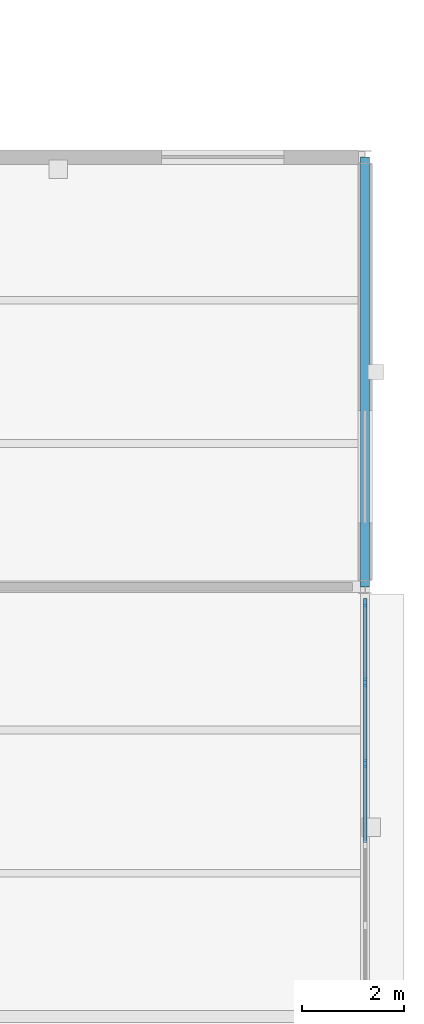
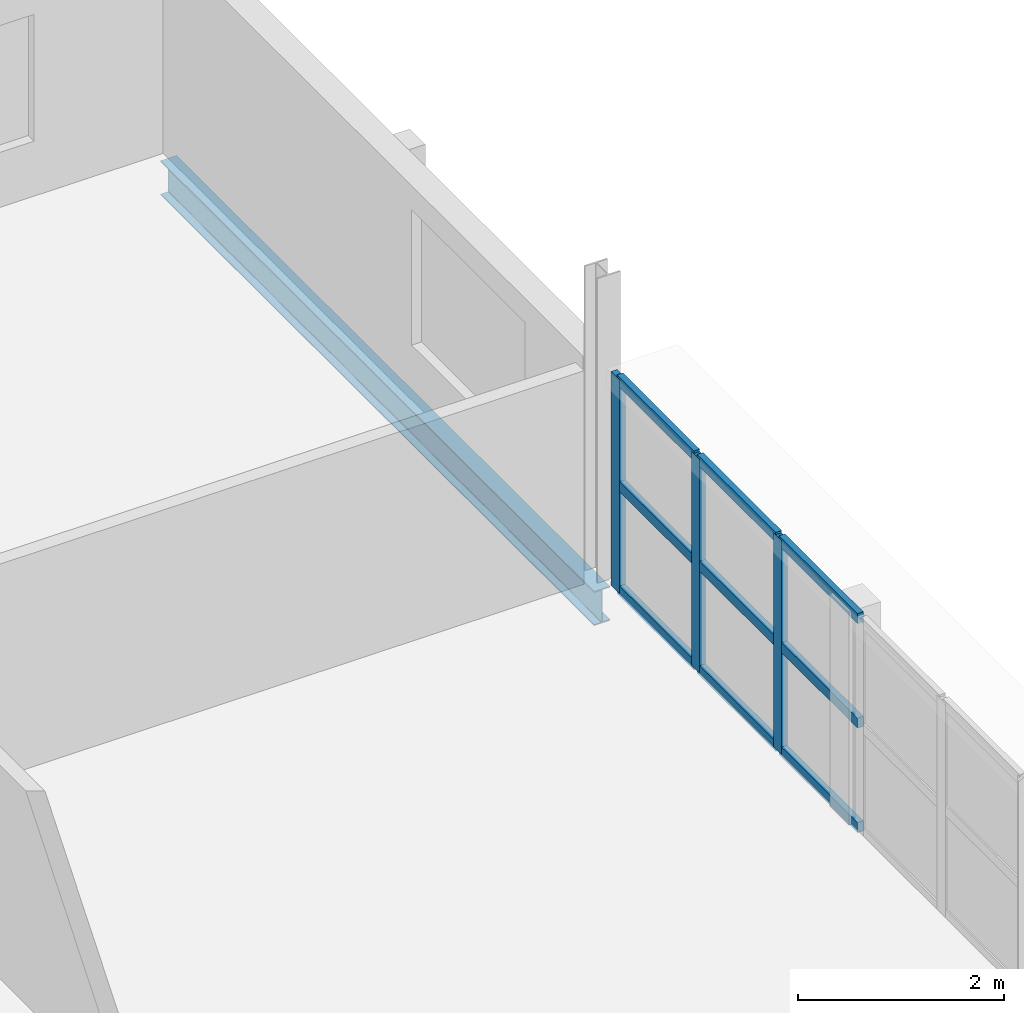
# One storey, part 43 of 74: 12 members, 1 beam, 1 element without a shape of its own.
"""IFC4 building model written with IfcOpenShell, lengths in metres."""

import ifcopenshell
import ifcopenshell.guid

model = None  # the IFC model being written
_history = None  # IfcOwnerHistory: only IFC2X3 demands one
_inside = {}  # id of a spatial element -> (the spatial element, [elements in it])
_under = {}  # id of a project, library or spatial element -> (it, [spatial elements below it])
_declared = {}  # id of a project -> (the project, [libraries it declares])
_typed = {}  # id of a type object -> (the type object, [elements of that type])
_made_of = {}  # id of a material, layer set ... -> (it, [elements and type objects made of it])


def new_model(schema):
    """Start an empty IFC model of exactly this schema.

    Asked for "IFC4X3", IfcOpenShell would pick the latest addendum, in which some entities
    have other attributes; the version numbers below select the first issue.
    IFC2X3 requires an IfcOwnerHistory on every rooted entity: one is made here for all.
    """
    global model, _history
    if schema == "IFC4X3":
        model = ifcopenshell.file(schema_version=(4, 3, 0, 0))
    else:
        model = ifcopenshell.file(schema=schema)
    _inside.clear()
    _under.clear()
    _declared.clear()
    _typed.clear()
    _made_of.clear()
    _history = None
    if model.schema == "IFC2X3":
        org = make("IfcOrganization", Name="unknown")
        user = make(
            "IfcPersonAndOrganization",
            ThePerson=make("IfcPerson", FamilyName="unknown"),
            TheOrganization=org,
        )
        app = make(
            "IfcApplication",
            ApplicationDeveloper=org,
            Version="unknown",
            ApplicationFullName="unknown",
            ApplicationIdentifier="unknown",
        )
        _history = make(
            "IfcOwnerHistory",
            OwningUser=user,
            OwningApplication=app,
            ChangeAction="ADDED",
            CreationDate=0,
        )
    return model


def make(cls, **values):
    """One entity of the class cls with the attributes given. An attribute that is None is left unset."""
    return model.create_entity(
        cls, **{name: value for name, value in values.items() if value is not None}
    )


def rooted(cls, **values):
    """An entity with a GlobalId (a new one), such as an element, a storey or a relation."""
    return make(cls, GlobalId=ifcopenshell.guid.new(), OwnerHistory=_history, **values)


def si_unit(unit_type, name, prefix=None):
    """IfcSIUnit, for example si_unit("LENGTHUNIT", "METRE", prefix="MILLI")."""
    return make("IfcSIUnit", UnitType=unit_type, Prefix=prefix, Name=name)


def assignment(units):
    """IfcUnitAssignment: the units of a project."""
    return None if units is None else make("IfcUnitAssignment", Units=units)


def point(xyz):
    """IfcCartesianPoint."""
    return None if xyz is None else make("IfcCartesianPoint", Coordinates=xyz)


def direction(xyz):
    """IfcDirection."""
    return None if xyz is None else make("IfcDirection", DirectionRatios=xyz)


def frame(location, z_axis=None, x_axis=None):
    """IfcAxis2Placement3D, a coordinate frame: its origin and axes. An axis left out is left unset."""
    return make(
        "IfcAxis2Placement3D",
        Location=point(location),
        Axis=direction(z_axis),
        RefDirection=direction(x_axis),
    )


def frame_2d(location, x_axis=None):
    """IfcAxis2Placement2D, a coordinate frame in the plane: its origin and x axis."""
    return make(
        "IfcAxis2Placement2D", Location=point(location), RefDirection=direction(x_axis)
    )


def origin():
    """The frame at (0, 0, 0) with its axes left unset."""
    return frame((0.0, 0.0, 0.0))


def origin_2d():
    """The frame at (0, 0) in the plane with its x axis left unset."""
    return frame_2d((0.0, 0.0))


def place(relative_to, where):
    """IfcLocalPlacement: puts the frame where relative to a parent placement (None: the world)."""
    return make(
        "IfcLocalPlacement", PlacementRelTo=relative_to, RelativePlacement=where
    )


def context(
    kind, dimensions, precision=None, world=None, true_north=None, identifier=None
):
    """IfcGeometricRepresentationContext, for example the 3D "Model" context."""
    return make(
        "IfcGeometricRepresentationContext",
        ContextIdentifier=identifier,
        ContextType=kind,
        CoordinateSpaceDimension=dimensions,
        Precision=precision,
        WorldCoordinateSystem=world,
        TrueNorth=true_north,
    )


def subcontext(parent, identifier, kind, view, scale=None):
    """IfcGeometricRepresentationSubContext, for example "Body" below "Model"."""
    return make(
        "IfcGeometricRepresentationSubContext",
        ContextIdentifier=identifier,
        ContextType=kind,
        ParentContext=parent,
        TargetScale=scale,
        TargetView=view,
    )


def project(units=None, contexts=None):
    """IfcProject with its units and contexts."""
    return rooted(
        "IfcProject",
        Name="project",
        RepresentationContexts=contexts,
        UnitsInContext=assignment(units),
    )


def spatial(cls, under=None, at=None, **own):
    """A site, building, storey or space (cls), placed at a placement, below another one or the project."""
    s = rooted(cls, ObjectPlacement=at, **own)
    if under is not None:
        _under.setdefault(under.id(), (under, []))[1].append(s)
    return s


def profile(cls, at=None, kind="AREA", **sizes):
    """A parametric profile (cls). Its sizes go by their IFC names, for example OverallWidth=200.0."""
    return make(cls, ProfileType=kind, Position=at, **sizes)


def rectangle(**sizes):
    """IfcRectangleProfileDef."""
    return profile("IfcRectangleProfileDef", **sizes)


def i_section(**sizes):
    """IfcIShapeProfileDef."""
    return profile("IfcIShapeProfileDef", **sizes)


def extrude(swept, where, along, depth):
    """IfcExtrudedAreaSolid: the profile swept, set in the frame where, extruded along a direction by depth."""
    return make(
        "IfcExtrudedAreaSolid",
        SweptArea=swept,
        Position=where,
        ExtrudedDirection=direction(along),
        Depth=depth,
    )


def shape(context_of_items, identifier, shape_type, items):
    """IfcShapeRepresentation: the items that make up one representation, for example the "Body"."""
    return make(
        "IfcShapeRepresentation",
        ContextOfItems=context_of_items,
        RepresentationIdentifier=identifier,
        RepresentationType=shape_type,
        Items=items,
    )


def material(Name=None, Category=None):
    """IfcMaterial."""
    return make("IfcMaterial", Name=Name, Category=Category)


def layer(
    of_material, thickness, ventilated=None, Name=None, Category=None, Priority=None
):
    """IfcMaterialLayer: one layer of a wall or slab, of a material (None: an air gap)."""
    return make(
        "IfcMaterialLayer",
        Material=of_material,
        LayerThickness=thickness,
        IsVentilated=ventilated,
        Name=Name,
        Category=Category,
        Priority=Priority,
    )


def layer_set(layers, Name=None):
    """IfcMaterialLayerSet."""
    return make("IfcMaterialLayerSet", MaterialLayers=layers, LayerSetName=Name)


def material_profile(
    of_material, cross_section, Name=None, Category=None, Priority=None
):
    """IfcMaterialProfile: a cross section and its material."""
    return make(
        "IfcMaterialProfile",
        Name=Name,
        Material=of_material,
        Profile=cross_section,
        Priority=Priority,
        Category=Category,
    )


def profile_set(profiles, Name=None, composite=None):
    """IfcMaterialProfileSet."""
    return make(
        "IfcMaterialProfileSet",
        Name=Name,
        MaterialProfiles=profiles,
        CompositeProfile=composite,
    )


def made_of(thing, what):
    """Note that an element or type object is made of a material, layer set ...; save() writes the relation."""
    if what is not None:
        _made_of.setdefault(what.id(), (what, []))[1].append(thing)
    return thing


def type_object(cls, material=None, **own):
    """A type object (cls), such as IfcWallType, which elements share."""
    return made_of(rooted(cls, **own), material)


def element(
    cls,
    number,
    at=None,
    inside=None,
    cuts=None,
    type_object=None,
    material=None,
    context=None,
    identifier="Body",
    shape_type=None,
    held_by="IfcProductDefinitionShape",
    body=None,
    shapes=None,
    **own,
):
    """One element of the class cls, such as IfcWall. Its Tag is "e" and its number.

    at: its placement. inside: the storey or other place that contains it. cuts: it is an
    opening in that element (IfcRelVoidsElement). A single representation is given by context,
    identifier, shape_type and body (its items); several are given by shapes. held_by: the class
    of the entity that holds the representations. save() writes the other relations.
    """
    e = rooted(cls, Tag="e%d" % number, ObjectPlacement=at, **own)
    if body is not None:
        shapes = [shape(context, identifier, shape_type, body)]
    if shapes is not None:
        e.Representation = make(held_by, Representations=shapes)
    if inside is not None:
        _inside.setdefault(inside.id(), (inside, []))[1].append(e)
    if cuts is not None:
        rooted(
            "IfcRelVoidsElement", RelatingBuildingElement=cuts, RelatedOpeningElement=e
        )
    if type_object is not None:
        _typed.setdefault(type_object.id(), (type_object, []))[1].append(e)
    return made_of(e, material)


def aggregate(whole, parts):
    """IfcRelAggregates: a whole, such as a stair, and the parts it consists of."""
    return rooted("IfcRelAggregates", RelatingObject=whole, RelatedObjects=parts)


def save(model, path):
    """Write the relations noted so far, then the file.

    IfcRelAggregates (storeys below a building ...), IfcRelContainedInSpatialStructure (elements
    in a storey), IfcRelDefinesByType, IfcRelAssociatesMaterial and IfcRelDeclares: one each for
    every whole, place, type object, material and project.
    """
    for whole, parts in _under.values():
        aggregate(whole, parts)
    for where, things in _inside.values():
        rooted(
            "IfcRelContainedInSpatialStructure",
            RelatedElements=things,
            RelatingStructure=where,
        )
    for kind, things in _typed.values():
        rooted("IfcRelDefinesByType", RelatedObjects=things, RelatingType=kind)
    for what, things in _made_of.values():
        rooted("IfcRelAssociatesMaterial", RelatedObjects=things, RelatingMaterial=what)
    for by, libraries in _declared.values():
        rooted("IfcRelDeclares", RelatingContext=by, RelatedDefinitions=libraries)
    model.write(path)


model = new_model("IFC4")

# Units and contexts
model_context = context("Model", 3, precision=1e-05, world=origin(), true_north=direction((0.0, 1.0)))
body_context = subcontext(model_context, "Body", "Model", "MODEL_VIEW")
ifc_project = project(units=[si_unit("LENGTHUNIT", "METRE"), si_unit("AREAUNIT", "SQUARE_METRE"), si_unit("VOLUMEUNIT", "CUBIC_METRE"), si_unit("PLANEANGLEUNIT", "RADIAN"), si_unit("MASSUNIT", "GRAM", prefix="KILO"), si_unit("THERMODYNAMICTEMPERATUREUNIT", "KELVIN"), si_unit("POWERUNIT", "WATT")], contexts=[model_context])

# Site, building, storey
site_placement = place(None, origin())
site = spatial("IfcSite", under=ifc_project, at=site_placement, CompositionType="ELEMENT")
building_placement = place(site_placement, origin())
building = spatial("IfcBuilding", under=site, at=building_placement, Name="Tembeka Court Mobility Hub", CompositionType="ELEMENT")
storey_placement = place(building_placement, frame((0.0, 0.0, 12.60009765625)))
storey = spatial("IfcBuildingStorey", under=building, at=storey_placement, Name="L03", CompositionType="ELEMENT", Elevation=12.60009765625)

# Beam
ifc_material_1 = material(Name="Steel S355", Category="steel")
ifc_material_profile_1 = material_profile(ifc_material_1, i_section(OverallWidth=0.177978515625, OverallDepth=0.406005859375, WebThickness=0.0078125, FlangeThickness=0.0126953125, FilletRadius=0.01025390625, at=origin_2d()), Name="UKB 406x178x60")
ifc_profile_set_1 = profile_set([ifc_material_profile_1], Name="Steel S355")
beam_type = type_object("IfcBeamType", Name="BM-B02", PredefinedType="BEAM", material=ifc_profile_set_1)
beam_placement = place(storey_placement, frame((176.39990234375, 55.199951171875, -0.39306640625), z_axis=(0.0, 1.0, 0.0), x_axis=(-1.0, 0.0, 0.0)))
element("IfcBeam", 1, at=beam_placement, inside=storey, type_object=beam_type, Name="Beam B02 (BM-L03-Y1945)", PredefinedType="BEAM", context=body_context, shape_type="SweptSolid", body=[
    extrude(i_section(OverallWidth=0.177978515625, OverallDepth=0.406005859375, WebThickness=0.0078125, FlangeThickness=0.0126953125, FilletRadius=0.01025390625, at=origin_2d()), origin(), (0.0, 0.0, 1.0), 8.400146484375),
])

# Curtain wall, members
ifc_material_2 = material(Name="Anodised aluminium 6063-T6", Category="aluminium")
ifc_layer = layer(ifc_material_2, 0.159912109375)
ifc_layer_set = layer_set([ifc_layer], Name="Anodised aluminium 6063-T6")
curtain_wall_type = type_object("IfcCurtainWallType", Name="CW-SYS54", PredefinedType="USERDEFINED", material=ifc_layer_set)
curtain_wall_placement = place(storey_placement, origin())
curtain_wall = element("IfcCurtainWall", 2, at=curtain_wall_placement, inside=storey, type_object=curtain_wall_type, Name="Unitised curtain wall CW54 (CW-L03-139)", ObjectType="UNITISED GLAZING", PredefinedType="USERDEFINED")
ifc_material_profile_2 = material_profile(ifc_material_2, rectangle(XDim=0.06494140625, YDim=0.159912109375, at=origin_2d()), Name="ALU-MUL 65x160")
ifc_profile_set_2 = profile_set([ifc_material_profile_2], Name="Anodised aluminium 6063-T6")
member_type_1 = type_object("IfcMemberType", Name="CW-MUL01", PredefinedType="MULLION", material=ifc_profile_set_2)
member_1_placement = place(storey_placement, frame((176.39990234375, 51.747314453125, 0.0), z_axis=(0.0, 0.0, 1.0), x_axis=(-1.0, 0.0, 0.0)))
member_1 = element("IfcMember", 3, at=member_1_placement, type_object=member_type_1, Name="CW54 mullion 4", PredefinedType="MULLION", context=body_context, shape_type="SweptSolid", body=[
    extrude(rectangle(XDim=0.06494140625, YDim=0.159912109375, at=origin_2d()), origin(), (0.0, 0.0, 1.0), 2.534912109375),
])
member_2_placement = place(storey_placement, frame((176.39990234375, 53.33349609375, 0.0), z_axis=(0.0, 0.0, 1.0), x_axis=(-1.0, 0.0, 0.0)))
member_2 = element("IfcMember", 4, at=member_2_placement, type_object=member_type_1, Name="CW54 mullion 5", PredefinedType="MULLION", context=body_context, shape_type="SweptSolid", body=[
    extrude(rectangle(XDim=0.06494140625, YDim=0.159912109375, at=origin_2d()), origin(), (0.0, 0.0, 1.0), 2.534912109375),
])
member_3_placement = place(storey_placement, frame((176.39990234375, 54.887451171875, 0.0), z_axis=(0.0, 0.0, 1.0), x_axis=(-1.0, 0.0, 0.0)))
member_3 = element("IfcMember", 5, at=member_3_placement, type_object=member_type_1, Name="CW54 mullion 6", PredefinedType="MULLION", context=body_context, shape_type="SweptSolid", body=[
    extrude(rectangle(XDim=0.06494140625, YDim=0.159912109375, at=origin_2d()), origin(), (0.0, 0.0, 1.0), 2.534912109375),
])
ifc_material_profile_3 = material_profile(ifc_material_2, rectangle(XDim=0.06494140625, YDim=0.1201171875, at=origin_2d()), Name="ALU-TRN 65x120")
ifc_profile_set_3 = profile_set([ifc_material_profile_3], Name="Anodised aluminium 6063-T6")
member_type_2 = type_object("IfcMemberType", Name="CW-TRN01", PredefinedType="USERDEFINED", material=ifc_profile_set_3)
member_4_placement = place(storey_placement, frame((176.39990234375, 50.193359375, 0.032470703125), z_axis=(0.0, 1.0, 0.0), x_axis=(-1.0, 0.0, 0.0)))
member_4 = element("IfcMember", 6, at=member_4_placement, type_object=member_type_2, Name="CW54 transom 3.1", ObjectType="TRANSOM", PredefinedType="USERDEFINED", context=body_context, shape_type="SweptSolid", body=[
    extrude(rectangle(XDim=0.06494140625, YDim=0.1201171875, at=origin_2d()), origin(), (0.0, 0.0, 1.0), 1.521240234375),
])
member_5_placement = place(storey_placement, frame((176.39990234375, 50.193359375, 1.267333984375), z_axis=(0.0, 1.0, 0.0), x_axis=(-1.0, 0.0, 0.0)))
member_5 = element("IfcMember", 7, at=member_5_placement, type_object=member_type_2, Name="CW54 transom 3.2", ObjectType="TRANSOM", PredefinedType="USERDEFINED", context=body_context, shape_type="SweptSolid", body=[
    extrude(rectangle(XDim=0.06494140625, YDim=0.1201171875, at=origin_2d()), origin(), (0.0, 0.0, 1.0), 1.521240234375),
])
member_6_placement = place(storey_placement, frame((176.39990234375, 50.193359375, 2.50244140625), z_axis=(0.0, 1.0, 0.0), x_axis=(-1.0, 0.0, 0.0)))
member_6 = element("IfcMember", 8, at=member_6_placement, type_object=member_type_2, Name="CW54 transom 3.3", ObjectType="TRANSOM", PredefinedType="USERDEFINED", context=body_context, shape_type="SweptSolid", body=[
    extrude(rectangle(XDim=0.06494140625, YDim=0.1201171875, at=origin_2d()), origin(), (0.0, 0.0, 1.0), 1.521240234375),
])
member_7_placement = place(storey_placement, frame((176.39990234375, 51.77978515625, 0.032470703125), z_axis=(0.0, 1.0, 0.0), x_axis=(-1.0, 0.0, 0.0)))
member_7 = element("IfcMember", 9, at=member_7_placement, type_object=member_type_2, Name="CW54 transom 4.1", ObjectType="TRANSOM", PredefinedType="USERDEFINED", context=body_context, shape_type="SweptSolid", body=[
    extrude(rectangle(XDim=0.06494140625, YDim=0.1201171875, at=origin_2d()), origin(), (0.0, 0.0, 1.0), 1.521240234375),
])
member_8_placement = place(storey_placement, frame((176.39990234375, 51.77978515625, 1.267333984375), z_axis=(0.0, 1.0, 0.0), x_axis=(-1.0, 0.0, 0.0)))
member_8 = element("IfcMember", 10, at=member_8_placement, type_object=member_type_2, Name="CW54 transom 4.2", ObjectType="TRANSOM", PredefinedType="USERDEFINED", context=body_context, shape_type="SweptSolid", body=[
    extrude(rectangle(XDim=0.06494140625, YDim=0.1201171875, at=origin_2d()), origin(), (0.0, 0.0, 1.0), 1.521240234375),
])
member_9_placement = place(storey_placement, frame((176.39990234375, 51.77978515625, 2.50244140625), z_axis=(0.0, 1.0, 0.0), x_axis=(-1.0, 0.0, 0.0)))
member_9 = element("IfcMember", 11, at=member_9_placement, type_object=member_type_2, Name="CW54 transom 4.3", ObjectType="TRANSOM", PredefinedType="USERDEFINED", context=body_context, shape_type="SweptSolid", body=[
    extrude(rectangle(XDim=0.06494140625, YDim=0.1201171875, at=origin_2d()), origin(), (0.0, 0.0, 1.0), 1.521240234375),
])
member_10_placement = place(storey_placement, frame((176.39990234375, 53.3662109375, 0.032470703125), z_axis=(0.0, 1.0, 0.0), x_axis=(-1.0, 0.0, 0.0)))
member_10 = element("IfcMember", 12, at=member_10_placement, type_object=member_type_2, Name="CW54 transom 5.1", ObjectType="TRANSOM", PredefinedType="USERDEFINED", context=body_context, shape_type="SweptSolid", body=[
    extrude(rectangle(XDim=0.06494140625, YDim=0.1201171875, at=origin_2d()), origin(), (0.0, 0.0, 1.0), 1.48876953125),
])
member_11_placement = place(storey_placement, frame((176.39990234375, 53.3662109375, 1.267333984375), z_axis=(0.0, 1.0, 0.0), x_axis=(-1.0, 0.0, 0.0)))
member_11 = element("IfcMember", 13, at=member_11_placement, type_object=member_type_2, Name="CW54 transom 5.2", ObjectType="TRANSOM", PredefinedType="USERDEFINED", context=body_context, shape_type="SweptSolid", body=[
    extrude(rectangle(XDim=0.06494140625, YDim=0.1201171875, at=origin_2d()), origin(), (0.0, 0.0, 1.0), 1.48876953125),
])
member_12_placement = place(storey_placement, frame((176.39990234375, 53.3662109375, 2.50244140625), z_axis=(0.0, 1.0, 0.0), x_axis=(-1.0, 0.0, 0.0)))
member_12 = element("IfcMember", 14, at=member_12_placement, type_object=member_type_2, Name="CW54 transom 5.3", ObjectType="TRANSOM", PredefinedType="USERDEFINED", context=body_context, shape_type="SweptSolid", body=[
    extrude(rectangle(XDim=0.06494140625, YDim=0.1201171875, at=origin_2d()), origin(), (0.0, 0.0, 1.0), 1.48876953125),
])
aggregate(curtain_wall, [member_1, member_2, member_3, member_4, member_5, member_6, member_7, member_8, member_9, member_10, member_11, member_12])

save(model, "model.ifc")
